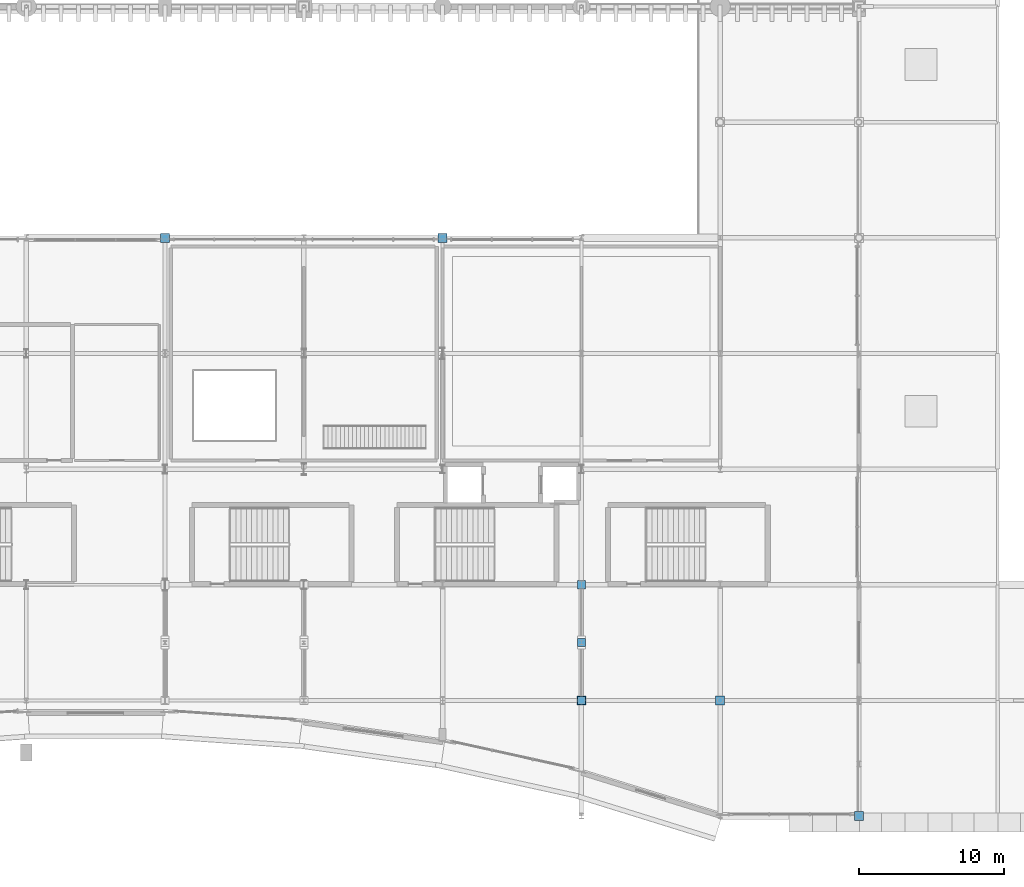
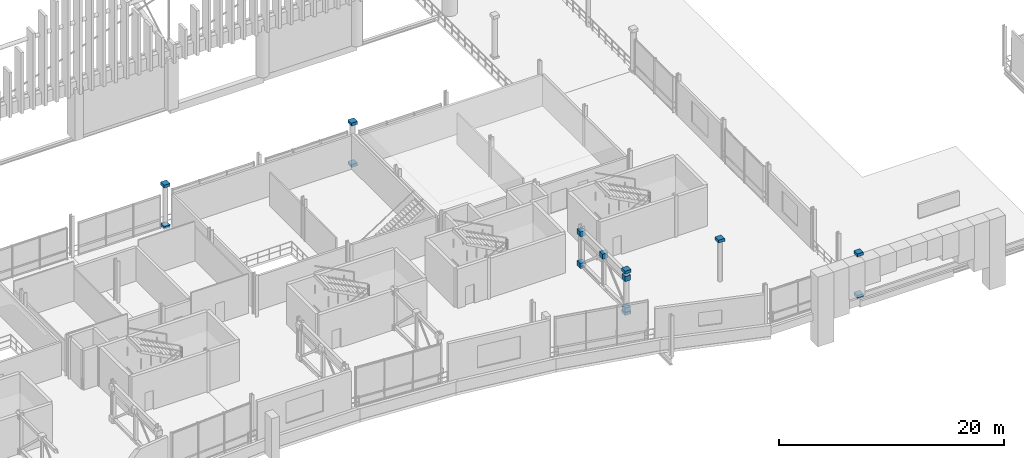
# One storey, part 166 of 193: 14 discrete accessories.
"""IFC4 building model written with IfcOpenShell, lengths in metres."""

from ifc_helpers import new_model, si_unit, direction, frame, origin, origin_2d, place, context, subcontext, project, spatial, rectangle, extrude, material, type_object, element, save


model = new_model("IFC4")

# Units and contexts
model_context = context("Model", 3, precision=1e-05, world=origin(), true_north=direction((0.0, 1.0)))
body_context = subcontext(model_context, "Body", "Model", "MODEL_VIEW")
ifc_project = project(units=[si_unit("LENGTHUNIT", "METRE"), si_unit("AREAUNIT", "SQUARE_METRE"), si_unit("VOLUMEUNIT", "CUBIC_METRE"), si_unit("PLANEANGLEUNIT", "RADIAN"), si_unit("MASSUNIT", "GRAM", prefix="KILO")], contexts=[model_context])

# Site, building, storey
site_placement = place(None, origin())
site = spatial("IfcSite", under=ifc_project, at=site_placement, CompositionType="ELEMENT")
building_placement = place(site_placement, origin())
building = spatial("IfcBuilding", under=site, at=building_placement, Name="Danafjord Basin Convention Centre", CompositionType="ELEMENT")
storey_placement = place(building_placement, frame((0.0, 0.0, 11.39990234375)))
storey = spatial("IfcBuildingStorey", under=building, at=storey_placement, Name="L02", CompositionType="ELEMENT", Elevation=11.39990234375)

# Discrete accessories
ifc_material = material(Name="Steel S355", Category="steel")
discrete_accessory_type = type_object("IfcDiscreteAccessoryType", Name="ACC-SF-HUB", PredefinedType="BRACKET", material=ifc_material)
for number, where, z_axis, x_axis, name in (
    (1, (67.199951171875, 40.0, -0.16015625), (0.0, 0.0, 1.0), (1.0, 0.0, 0.0), "Tubular steel column transition collar"),
    (2, (67.199951171875, 40.0, 4.33984375), (0.0, 0.0, 1.0), (1.0, 0.0, 0.0), "Tubular steel column top cap plate"),
    (3, (86.39990234375, 40.0, -0.16015625), (0.0, 0.0, 1.0), (1.0, 0.0, 0.0), "Tubular steel column transition collar"),
    (4, (86.39990234375, 40.0, 4.33984375), (0.0, 0.0, 1.0), (1.0, 0.0, 0.0), "Tubular steel column top cap plate"),
    (5, (96.0, 8.0, -0.16015625), (0.0, 0.0, 1.0), (1.0, 0.0, 0.0), "Tubular steel column transition collar"),
    (6, (96.0, 8.0, 4.33984375), (0.0, 0.0, 1.0), (1.0, 0.0, 0.0), "Tubular steel column top cap plate"),
    (7, (105.60009765625, 8.0, 4.33984375), (0.0, 0.0, 1.0), (1.0, 0.0, 0.0), "Tubular steel column top cap plate"),
    (8, (115.199951171875, 0.0, -0.16015625), (0.0, 0.0, 1.0), (1.0, 0.0, 0.0), "Tubular steel column transition collar"),
    (9, (115.199951171875, 0.0, 4.33984375), (0.0, 0.0, 1.0), (1.0, 0.0, 0.0), "Tubular steel column top cap plate"),
):
    element("IfcDiscreteAccessory", number, at=place(storey_placement, frame(where, z_axis=z_axis, x_axis=x_axis)), inside=storey, type_object=discrete_accessory_type, Name=name, PredefinedType="BRACKET", context=body_context, shape_type="SweptSolid", body=[
        extrude(rectangle(XDim=0.6201171875, YDim=0.6201171875, at=origin_2d()), origin(), (0.0, 0.0, 1.0), 0.320068359375),
    ])
for number, where, z_axis, x_axis, name in (
    (10, (96.0, 8.0, 0.070068359375), (0.0, 0.0, 1.0), (1.0, 0.0, 0.0), "Transfer truss closed steel node"),
    (11, (96.0, 8.0, 3.486083984375), (0.0, 0.0, 1.0), (1.0, 0.0, 0.0), "Transfer truss closed steel node"),
    (12, (96.0, 12.0, 3.486083984375), (0.0, 0.0, 1.0), (1.0, 0.0, 0.0), "Transfer truss closed steel node"),
    (13, (96.0, 16.0, 0.070068359375), (0.0, 0.0, 1.0), (1.0, 0.0, 0.0), "Transfer truss closed steel node"),
    (14, (96.0, 16.0, 3.486083984375), (0.0, 0.0, 1.0), (1.0, 0.0, 0.0), "Transfer truss closed steel node"),
):
    element("IfcDiscreteAccessory", number, at=place(storey_placement, frame(where, z_axis=z_axis, x_axis=x_axis)), inside=storey, type_object=discrete_accessory_type, Name=name, PredefinedType="BRACKET", context=body_context, shape_type="SweptSolid", body=[
        extrude(rectangle(XDim=0.56005859375, YDim=0.56005859375, at=origin_2d()), origin(), (0.0, 0.0, 1.0), 0.56005859375),
    ])

save(model, "model.ifc")
